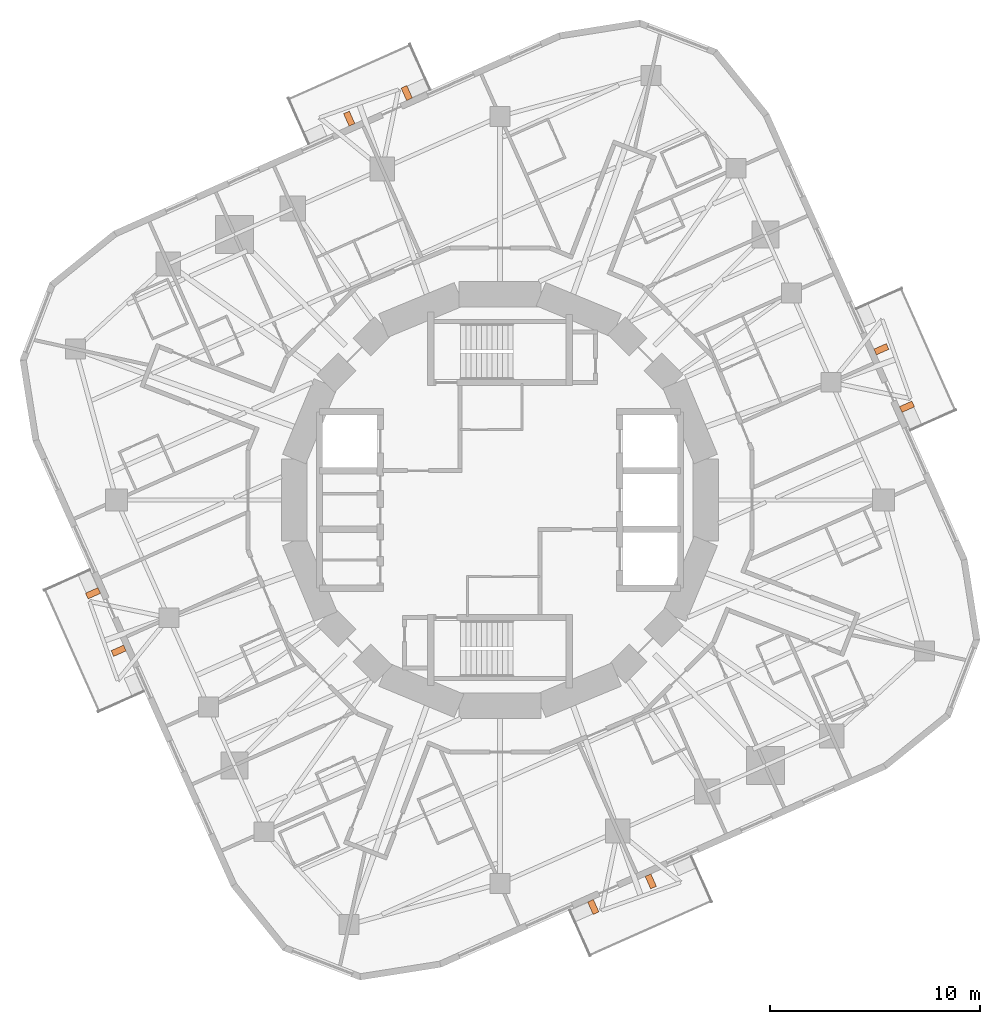
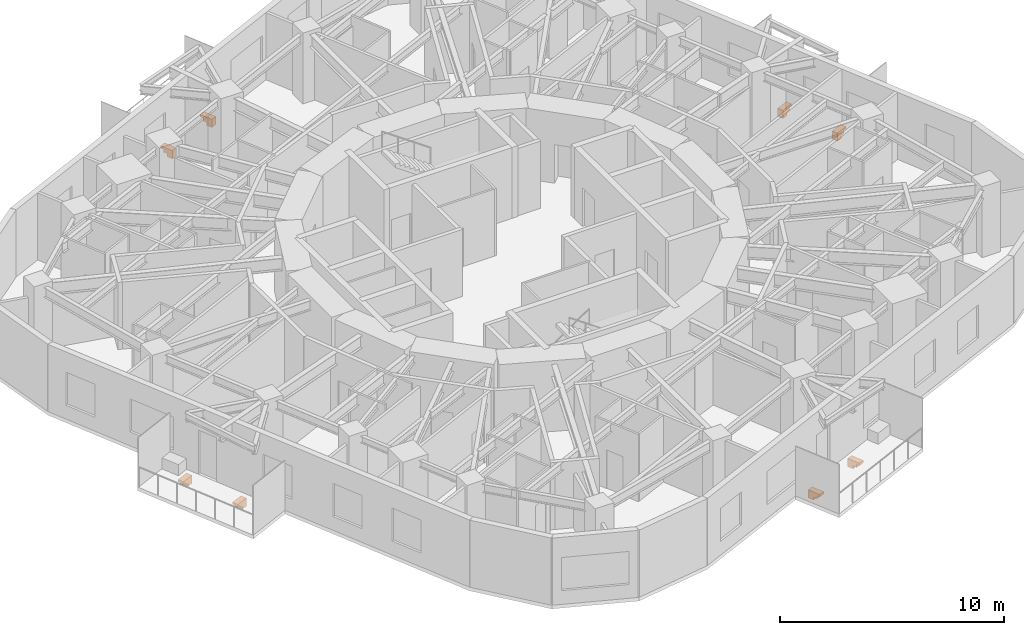
# One storey, part 12 of 12: 8 proxies.
"""IFC4 building model written with IfcOpenShell, lengths in metres."""

from ifc_helpers import new_model, si_unit, direction, frame, origin, place, context, subcontext, project, spatial, polyline, outline, extrude, material, type_object, element, save


model = new_model("IFC4")

# Units and contexts
model_context = context("Model", 3, precision=1e-05, world=origin(), true_north=direction((0.0, 1.0)))
body_context = subcontext(model_context, "Body", "Model", "MODEL_VIEW")
ifc_project = project(units=[si_unit("LENGTHUNIT", "METRE"), si_unit("AREAUNIT", "SQUARE_METRE"), si_unit("VOLUMEUNIT", "CUBIC_METRE"), si_unit("PLANEANGLEUNIT", "RADIAN"), si_unit("MASSUNIT", "GRAM", prefix="KILO")], contexts=[model_context])

# Site, building, storey
site_placement = place(None, origin())
site = spatial("IfcSite", under=ifc_project, at=site_placement, CompositionType="ELEMENT")
building_placement = place(site_placement, origin())
building = spatial("IfcBuilding", under=site, at=building_placement, Name="Nakasero Lantern House", CompositionType="ELEMENT")
storey_placement = place(building_placement, frame((0.0, 0.0, 201.699951171875)))
storey = spatial("IfcBuildingStorey", under=building, at=storey_placement, Name="L49", CompositionType="ELEMENT", Elevation=201.699951171875)

# Proxies
ifc_material = material(Name="Concrete C40/50 precast", Category="concrete")
building_element_proxy_type = type_object("IfcBuildingElementProxyType", Name="Balcony bracket 300", PredefinedType="USERDEFINED", material=ifc_material)
for number, where, z_axis, x_axis, name in (
    (1, (19.097412109375, 4.311767578125, -0.199951171875), (0.0, 0.0, 1.0), (0.913545458, 0.406736643, 0.0), "Balcony bracket L49 0A"),
    (2, (17.877197265625, 7.052490234375, -0.199951171875), (0.0, 0.0, 1.0), (0.913545458, 0.406736643, 0.0), "Balcony bracket L49 0B"),
    (3, (-4.311767578125, 19.097412109375, -0.199951171875), (0.0, 0.0, 1.0), (-0.406736643, 0.913545458, 0.0), "Balcony bracket L49 1A"),
    (4, (-7.052490234375, 17.877197265625, -0.199951171875), (0.0, 0.0, 1.0), (-0.406736643, 0.913545458, 0.0), "Balcony bracket L49 1B"),
    (5, (-19.097412109375, -4.311767578125, -0.199951171875), (0.0, 0.0, 1.0), (-0.913545458, -0.406736643, 0.0), "Balcony bracket L49 2A"),
    (6, (-17.877197265625, -7.052490234375, -0.199951171875), (0.0, 0.0, 1.0), (-0.913545458, -0.406736643, 0.0), "Balcony bracket L49 2B"),
    (7, (4.311767578125, -19.097412109375, -0.199951171875), (0.0, 0.0, 1.0), (0.406736643, -0.913545458, 0.0), "Balcony bracket L49 3A"),
    (8, (7.052490234375, -17.877197265625, -0.199951171875), (0.0, 0.0, 1.0), (0.406736643, -0.913545458, 0.0), "Balcony bracket L49 3B"),
):
    element("IfcBuildingElementProxy", number, at=place(storey_placement, frame(where, z_axis=z_axis, x_axis=x_axis)), inside=storey, type_object=building_element_proxy_type, Name=name, ObjectType="BALCONY BRACKET", PredefinedType="USERDEFINED", context=body_context, shape_type="SweptSolid", body=[
        extrude(outline(polyline([(0.0, 0.0), (0.64990234375, 0.0), (0.64990234375, -0.1201171875), (0.5, -0.1201171875), (0.5, -0.280029296875), (0.300048828125, -0.280029296875), (0.300048828125, -0.43994140625), (0.0, -0.43994140625), (0.0, 0.0)])), frame((0.0, 0.14990234375, 0.0), z_axis=(0.0, -1.0, 0.0), x_axis=(1.0, 0.0, 0.0)), (0.0, 0.0, 1.0), 0.300048828125),
    ])

save(model, "model.ifc")
